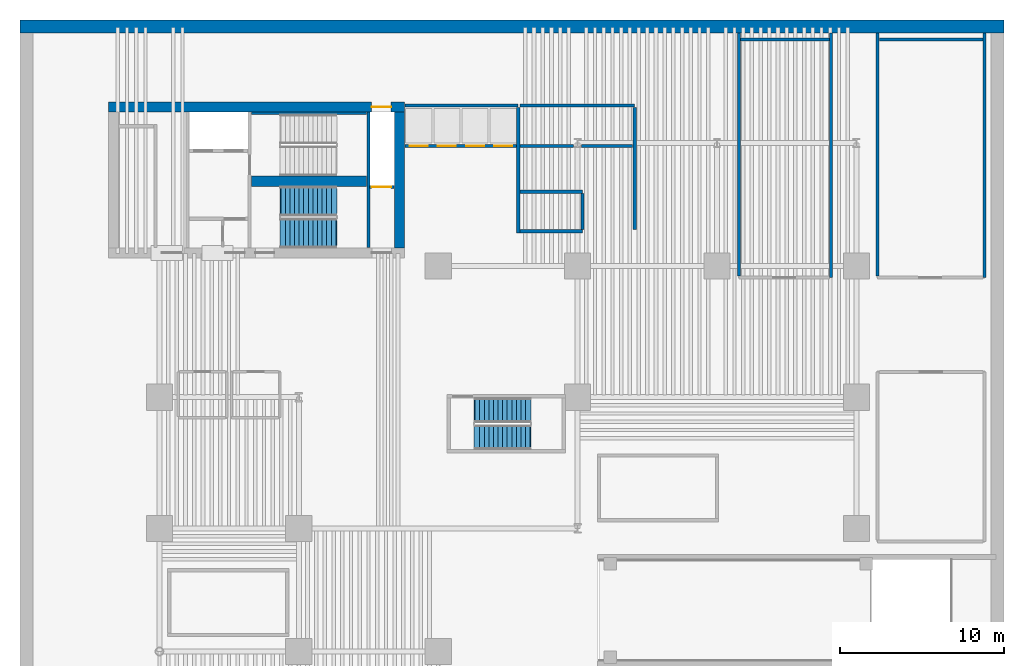
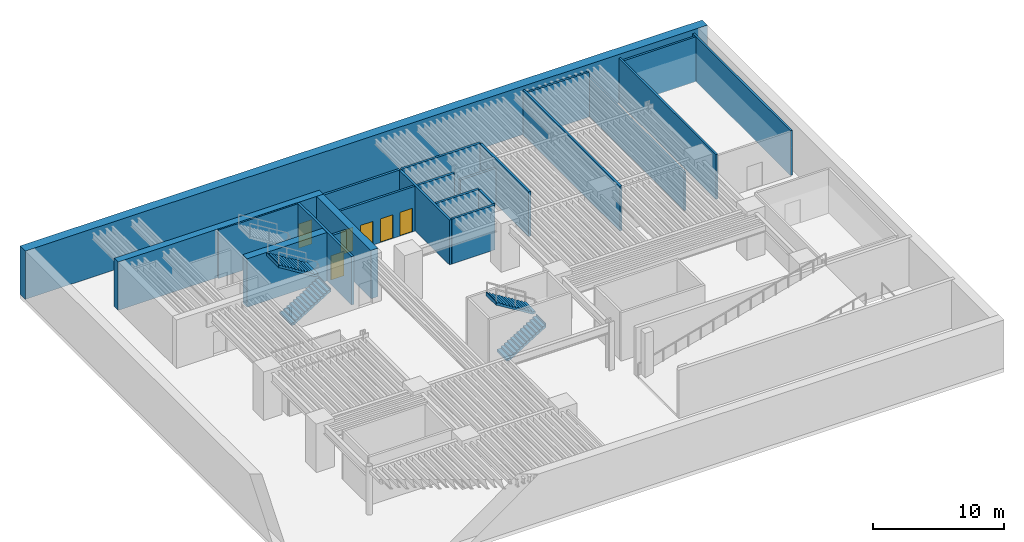
# One storey, part 4 of 10: 23 walls, 6 doors, 4 stair flights, 6 openings, 2 elements without a shape of their own.
"""IFC4 building model written with IfcOpenShell, lengths in metres."""

from ifc_helpers import new_model, si_unit, direction, frame, frame_2d, origin, place, context, subcontext, project, spatial, polyline, rectangle, outline, extrude, material, layer, layer_set, type_object, element, fill, aggregate, save


model = new_model("IFC4")

# Units and contexts
model_context = context("Model", 3, precision=1e-05, world=origin(), true_north=direction((0.0, 1.0)))
body_context = subcontext(model_context, "Body", "Model", "MODEL_VIEW")
ifc_project = project(units=[si_unit("LENGTHUNIT", "METRE"), si_unit("AREAUNIT", "SQUARE_METRE"), si_unit("VOLUMEUNIT", "CUBIC_METRE"), si_unit("PLANEANGLEUNIT", "RADIAN"), si_unit("MASSUNIT", "GRAM", prefix="KILO")], contexts=[model_context])

# Site, building, storey
site_placement = place(None, origin())
site = spatial("IfcSite", under=ifc_project, at=site_placement, CompositionType="ELEMENT")
building_placement = place(site_placement, origin())
building = spatial("IfcBuilding", under=site, at=building_placement, Name="Caeloran Harvest Quay", CompositionType="ELEMENT")
storey_placement = place(building_placement, frame((0.0, 0.0, -4.5)))
storey = spatial("IfcBuildingStorey", under=building, at=storey_placement, Name="B01", CompositionType="ELEMENT", Elevation=-4.5)

# Walls
ifc_material_1 = material(Name="Autoclaved Aerated Concrete Blockwork", Category="masonry")
ifc_layer_1 = layer(ifc_material_1, 0.179931640625, Name="Autoclaved Aerated Concrete Blockwork")
ifc_layer_set_1 = layer_set([ifc_layer_1], Name="Autoclaved Aerated Concrete Blockwork")
wall_type_1 = type_object("IfcWallType", Name="INT-WALL-PW-180", PredefinedType="PARTITIONING", material=ifc_layer_set_1)
wall_1_placement = place(storey_placement, frame((58.800048828125, 45.195068359375, 0.0), z_axis=(0.0, 0.0, 1.0), x_axis=(0.0, -1.0, 0.0)))
element("IfcWall", 1, at=wall_1_placement, inside=storey, type_object=wall_type_1, Name="EV Fast-Charging Switchgear Room Partition Wall", PredefinedType="PARTITIONING", context=body_context, shape_type="SweptSolid", body=[
    extrude(rectangle(XDim=14.89501953125, YDim=0.179931640625, at=frame_2d((7.447509765625, 0.0))), origin(), (0.0, 0.0, 1.0), 4.1650390625),
])
wall_2_placement = place(storey_placement, frame((52.300048828125, 30.39501953125, 0.0), z_axis=(0.0, 0.0, 1.0), x_axis=(0.0, 1.0, 0.0)))
element("IfcWall", 2, at=wall_2_placement, inside=storey, type_object=wall_type_1, Name="EV Fast-Charging Switchgear Room Partition Wall", PredefinedType="PARTITIONING", context=body_context, shape_type="SweptSolid", body=[
    extrude(rectangle(XDim=14.800048828125, YDim=0.179931640625, at=frame_2d((7.39990234375, 0.0))), origin(), (0.0, 0.0, 1.0), 4.1650390625),
])
wall_3_placement = place(storey_placement, frame((52.39501953125, 44.800048828125, 0.0), z_axis=(0.0, 0.0, 1.0), x_axis=(1.0, 0.0, 0.0)))
element("IfcWall", 3, at=wall_3_placement, inside=storey, type_object=wall_type_1, Name="EV Fast-Charging Switchgear Room Partition Wall", PredefinedType="PARTITIONING", context=body_context, shape_type="SweptSolid", body=[
    extrude(rectangle(XDim=6.31005859375, YDim=0.179931640625, at=frame_2d((3.155029296875, 0.0))), origin(), (0.0, 0.0, 1.0), 4.1650390625),
])
wall_4_placement = place(storey_placement, frame((49.449951171875, 45.195068359375, 0.0), z_axis=(0.0, 0.0, 1.0), x_axis=(0.0, -1.0, 0.0)))
element("IfcWall", 4, at=wall_4_placement, inside=storey, type_object=wall_type_1, Name="Bicycle Parking and Shower Changing Room Partition Wall", PredefinedType="PARTITIONING", context=body_context, shape_type="SweptSolid", body=[
    extrude(rectangle(XDim=14.89501953125, YDim=0.179931640625, at=frame_2d((7.447509765625, 0.0))), origin(), (0.0, 0.0, 1.0), 3.550048828125),
])
wall_5_placement = place(storey_placement, frame((43.85009765625, 30.39501953125, 0.0), z_axis=(0.0, 0.0, 1.0), x_axis=(0.0, 1.0, 0.0)))
element("IfcWall", 5, at=wall_5_placement, inside=storey, type_object=wall_type_1, Name="Bicycle Parking and Shower Changing Room Partition Wall", PredefinedType="PARTITIONING", context=body_context, shape_type="SweptSolid", body=[
    extrude(rectangle(XDim=14.800048828125, YDim=0.179931640625, at=frame_2d((7.39990234375, 0.0))), origin(), (0.0, 0.0, 1.0), 4.1650390625),
])
wall_6_placement = place(storey_placement, frame((43.945068359375, 44.800048828125, 0.0), z_axis=(0.0, 0.0, 1.0), x_axis=(1.0, 0.0, 0.0)))
element("IfcWall", 6, at=wall_6_placement, inside=storey, type_object=wall_type_1, Name="Bicycle Parking and Shower Changing Room Partition Wall", PredefinedType="PARTITIONING", context=body_context, shape_type="SweptSolid", body=[
    extrude(rectangle(XDim=5.409912109375, YDim=0.179931640625, at=frame_2d((2.705078125, 0.0))), origin(), (0.0, 0.0, 1.0), 4.1650390625),
])

# Wall, opening, door
ifc_material_2 = material(Name="Concrete C50/60", Category="concrete")
ifc_layer_2 = layer(ifc_material_2, 0.199951171875, Name="Concrete C50/60")
ifc_layer_set_2 = layer_set([ifc_layer_2], Name="Concrete C50/60")
wall_type_2 = type_object("IfcWallType", Name="INT-WALL-SW-200", PredefinedType="PARTITIONING", material=ifc_layer_set_2)
wall_7_placement = place(storey_placement, frame((21.300048828125, 35.820068359375, 0.0), z_axis=(0.0, 0.0, 1.0), x_axis=(1.0, 0.0, 0.0)))
wall_7 = element("IfcWall", 7, at=wall_7_placement, inside=storey, type_object=wall_type_2, Name="B01 Service Lift SV-2 Shaft Wall", PredefinedType="PARTITIONING", context=body_context, shape_type="SweptSolid", body=[
    extrude(rectangle(XDim=1.5, YDim=0.199951171875, at=frame_2d((0.75, 0.0))), origin(), (0.0, 0.0, 1.0), 4.1650390625),
])
opening_1_placement = place(wall_7_placement, frame((0.14501953125, 0.0, 0.0)))
opening_1 = element("IfcOpeningElement", 8, at=opening_1_placement, cuts=wall_7, Name="Opening LD-02", PredefinedType="OPENING", context=body_context, shape_type="SweptSolid", body=[
    extrude(rectangle(XDim=1.179931640625, YDim=2.25, at=frame_2d((0.58984375, 1.125))), frame((0.0, 0.10986328125, 0.0), z_axis=(0.0, -1.0, 0.0), x_axis=(1.0, 0.0, 0.0)), (0.0, 0.0, 1.0), 0.219970703125),
])
ifc_material_3 = material(Name="Stainless Steel Grade 316", Category="steel")
door_type_1 = type_object("IfcDoorType", Name="INTDOOR-LD-02", OperationType="NOTDEFINED", PredefinedType="DOOR", material=ifc_material_3)
door_1_placement = place(opening_1_placement, origin())
door_1 = element("IfcDoor", 9, at=door_1_placement, inside=storey, type_object=door_type_1, Name="Lift SV-2 Sliding Landing Door (B01)", OperationType="DOUBLE_DOOR_SLIDING", OverallHeight=2.25, OverallWidth=1.179931640625, PredefinedType="DOOR", context=body_context, shape_type="SweptSolid", body=[
    extrude(rectangle(XDim=1.179931640625, YDim=2.25, at=frame_2d((0.58984375, 1.125))), frame((0.0, 0.02490234375, 0.0), z_axis=(0.0, -1.0, 0.0), x_axis=(1.0, 0.0, 0.0)), (0.0, 0.0, 1.0), 0.050048828125),
])
fill(opening_1, door_1)

# Walls
wall_8_placement = place(storey_placement, frame((23.469970703125, 40.780029296875, 0.0), z_axis=(0.0, 0.0, 1.0), x_axis=(1.0, 0.0, 0.0)))
element("IfcWall", 10, at=wall_8_placement, inside=storey, type_object=wall_type_2, Name="B01 Bank 1 Lift Shaft North Wall", PredefinedType="PARTITIONING", context=body_context, shape_type="SweptSolid", body=[
    extrude(rectangle(XDim=6.909912109375, YDim=0.199951171875, at=frame_2d((3.455078125, 0.0))), origin(), (0.0, 0.0, 1.0), 4.1650390625),
])
wall_9_placement = place(storey_placement, frame((30.3798828125, 33.02001953125, 0.0), z_axis=(0.0, 0.0, 1.0), x_axis=(0.0, 1.0, 0.0)))
element("IfcWall", 11, at=wall_9_placement, inside=storey, type_object=wall_type_2, Name="B01 Bank 1 Lift Shaft East Wall", PredefinedType="PARTITIONING", context=body_context, shape_type="SweptSolid", body=[
    extrude(rectangle(XDim=7.639892578125, YDim=0.199951171875, at=frame_2d((3.81982421875, 0.0))), origin(), (0.0, 0.0, 1.0), 4.1650390625),
])

# Wall, openings, doors
wall_10_placement = place(storey_placement, frame((23.469970703125, 38.320068359375, 0.0), z_axis=(0.0, 0.0, 1.0), x_axis=(1.0, 0.0, 0.0)))
wall_10 = element("IfcWall", 12, at=wall_10_placement, inside=storey, type_object=wall_type_2, Name="B01 Bank 1 Lift Landing Front Wall", PredefinedType="PARTITIONING", context=body_context, shape_type="SweptSolid", body=[
    extrude(rectangle(XDim=6.7900390625, YDim=0.199951171875, at=frame_2d((3.39501953125, 0.0))), origin(), (0.0, 0.0, 1.0), 4.1650390625),
])
opening_2_placement = place(wall_10_placement, frame((0.2900390625, 0.0, 0.0)))
opening_2 = element("IfcOpeningElement", 13, at=opening_2_placement, cuts=wall_10, Name="Opening LD-01", PredefinedType="OPENING", context=body_context, shape_type="SweptSolid", body=[
    extrude(rectangle(XDim=1.10009765625, YDim=2.199951171875, at=frame_2d((0.550048828125, 1.10009765625))), frame((0.0, 0.10986328125, 0.0), z_axis=(0.0, -1.0, 0.0), x_axis=(1.0, 0.0, 0.0)), (0.0, 0.0, 1.0), 0.219970703125),
])
opening_3_placement = place(wall_10_placement, frame((2.010009765625, 0.0, 0.0)))
opening_3 = element("IfcOpeningElement", 14, at=opening_3_placement, cuts=wall_10, Name="Opening LD-01", PredefinedType="OPENING", context=body_context, shape_type="SweptSolid", body=[
    extrude(rectangle(XDim=1.10009765625, YDim=2.199951171875, at=frame_2d((0.550048828125, 1.10009765625))), frame((0.0, 0.10986328125, 0.0), z_axis=(0.0, -1.0, 0.0), x_axis=(1.0, 0.0, 0.0)), (0.0, 0.0, 1.0), 0.219970703125),
])
opening_4_placement = place(wall_10_placement, frame((3.72998046875, 0.0, 0.0)))
opening_4 = element("IfcOpeningElement", 15, at=opening_4_placement, cuts=wall_10, Name="Opening LD-01", PredefinedType="OPENING", context=body_context, shape_type="SweptSolid", body=[
    extrude(rectangle(XDim=1.10009765625, YDim=2.199951171875, at=frame_2d((0.550048828125, 1.10009765625))), frame((0.0, 0.10986328125, 0.0), z_axis=(0.0, -1.0, 0.0), x_axis=(1.0, 0.0, 0.0)), (0.0, 0.0, 1.0), 0.219970703125),
])
opening_5_placement = place(wall_10_placement, frame((5.449951171875, 0.0, 0.0)))
opening_5 = element("IfcOpeningElement", 16, at=opening_5_placement, cuts=wall_10, Name="Opening LD-01", PredefinedType="OPENING", context=body_context, shape_type="SweptSolid", body=[
    extrude(rectangle(XDim=1.10009765625, YDim=2.199951171875, at=frame_2d((0.550048828125, 1.10009765625))), frame((0.0, 0.10986328125, 0.0), z_axis=(0.0, -1.0, 0.0), x_axis=(1.0, 0.0, 0.0)), (0.0, 0.0, 1.0), 0.219970703125),
])
door_type_2 = type_object("IfcDoorType", Name="INTDOOR-LD-01", OperationType="NOTDEFINED", PredefinedType="DOOR", material=ifc_material_3)
door_2_placement = place(opening_2_placement, origin())
door_2 = element("IfcDoor", 17, at=door_2_placement, inside=storey, type_object=door_type_2, Name="Lift P1-1 Sliding Landing Door (B01)", OperationType="DOUBLE_DOOR_SLIDING", OverallHeight=2.199951171875, OverallWidth=1.10009765625, PredefinedType="DOOR", context=body_context, shape_type="SweptSolid", body=[
    extrude(rectangle(XDim=1.10009765625, YDim=2.199951171875, at=frame_2d((0.550048828125, 1.10009765625))), frame((0.0, 0.02490234375, 0.0), z_axis=(0.0, -1.0, 0.0), x_axis=(1.0, 0.0, 0.0)), (0.0, 0.0, 1.0), 0.050048828125),
])
fill(opening_2, door_2)
door_3_placement = place(opening_3_placement, origin())
door_3 = element("IfcDoor", 18, at=door_3_placement, inside=storey, type_object=door_type_2, Name="Lift P1-2 Sliding Landing Door (B01)", OperationType="DOUBLE_DOOR_SLIDING", OverallHeight=2.199951171875, OverallWidth=1.10009765625, PredefinedType="DOOR", context=body_context, shape_type="SweptSolid", body=[
    extrude(rectangle(XDim=1.10009765625, YDim=2.199951171875, at=frame_2d((0.550048828125, 1.10009765625))), frame((0.0, 0.02490234375, 0.0), z_axis=(0.0, -1.0, 0.0), x_axis=(1.0, 0.0, 0.0)), (0.0, 0.0, 1.0), 0.050048828125),
])
fill(opening_3, door_3)
door_4_placement = place(opening_4_placement, origin())
door_4 = element("IfcDoor", 19, at=door_4_placement, inside=storey, type_object=door_type_2, Name="Lift P1-3 Sliding Landing Door (B01)", OperationType="DOUBLE_DOOR_SLIDING", OverallHeight=2.199951171875, OverallWidth=1.10009765625, PredefinedType="DOOR", context=body_context, shape_type="SweptSolid", body=[
    extrude(rectangle(XDim=1.10009765625, YDim=2.199951171875, at=frame_2d((0.550048828125, 1.10009765625))), frame((0.0, 0.02490234375, 0.0), z_axis=(0.0, -1.0, 0.0), x_axis=(1.0, 0.0, 0.0)), (0.0, 0.0, 1.0), 0.050048828125),
])
fill(opening_4, door_4)
door_5_placement = place(opening_5_placement, origin())
door_5 = element("IfcDoor", 20, at=door_5_placement, inside=storey, type_object=door_type_2, Name="Lift P1-4 Sliding Landing Door (B01)", OperationType="DOUBLE_DOOR_SLIDING", OverallHeight=2.199951171875, OverallWidth=1.10009765625, PredefinedType="DOOR", context=body_context, shape_type="SweptSolid", body=[
    extrude(rectangle(XDim=1.10009765625, YDim=2.199951171875, at=frame_2d((0.550048828125, 1.10009765625))), frame((0.0, 0.02490234375, 0.0), z_axis=(0.0, -1.0, 0.0), x_axis=(1.0, 0.0, 0.0)), (0.0, 0.0, 1.0), 0.050048828125),
])
fill(opening_5, door_5)

# Walls
wall_11_placement = place(storey_placement, frame((30.5, 40.780029296875, 0.0), z_axis=(0.0, 0.0, 1.0), x_axis=(1.0, 0.0, 0.0)))
element("IfcWall", 21, at=wall_11_placement, inside=storey, type_object=wall_type_2, Name="B01 Bank 2 Lift Shaft North Wall", PredefinedType="PARTITIONING", context=body_context, shape_type="SweptSolid", body=[
    extrude(rectangle(XDim=6.97998046875, YDim=0.199951171875, at=frame_2d((3.489990234375, 0.0))), origin(), (0.0, 0.0, 1.0), 4.1650390625),
])
wall_12_placement = place(storey_placement, frame((37.47998046875, 33.239990234375, 0.0), z_axis=(0.0, 0.0, 1.0), x_axis=(0.0, 1.0, 0.0)))
element("IfcWall", 22, at=wall_12_placement, inside=storey, type_object=wall_type_2, Name="B01 Bank 2 Lift Shaft East Wall", PredefinedType="PARTITIONING", context=body_context, shape_type="SweptSolid", body=[
    extrude(rectangle(XDim=7.419921875, YDim=0.199951171875, at=frame_2d((3.7099609375, 0.0))), origin(), (0.0, 0.0, 1.0), 4.1650390625),
])
wall_13_placement = place(storey_placement, frame((34.251953125, 38.320068359375, 0.0), z_axis=(0.0, 0.0, 1.0), x_axis=(1.0, 0.0, 0.0)))
element("IfcWall", 23, at=wall_13_placement, inside=storey, type_object=wall_type_2, Name="B01 Bank 2 Lift Landing Front Wall", PredefinedType="PARTITIONING", context=body_context, shape_type="SweptSolid", body=[
    extrude(rectangle(XDim=3.108154296875, YDim=0.199951171875, at=frame_2d((1.55419921875, 0.0))), origin(), (0.0, 0.0, 1.0), 3.35009765625),
])
wall_14_placement = place(storey_placement, frame((30.5, 38.320068359375, 0.0), z_axis=(0.0, 0.0, 1.0), x_axis=(1.0, 0.0, 0.0)))
element("IfcWall", 24, at=wall_14_placement, inside=storey, type_object=wall_type_2, Name="B01 Bank 2 Lift Landing Front Wall", PredefinedType="PARTITIONING", context=body_context, shape_type="SweptSolid", body=[
    extrude(rectangle(XDim=3.248046875, YDim=0.199951171875, at=frame_2d((1.6240234375, 0.0))), origin(), (0.0, 0.0, 1.0), 4.1650390625),
])
for number, where, z_axis, x_axis, name in (
    (25, (30.5, 35.530029296875, 0.0), (0.0, 0.0, 1.0), (1.0, 0.0, 0.0), "B01 Shuttle Lift Landing Front Wall"),
    (26, (30.5, 33.1201171875, 0.0), (0.0, 0.0, 1.0), (1.0, 0.0, 0.0), "B01 Shuttle Lift Shaft South Wall"),
):
    element("IfcWall", number, at=place(storey_placement, frame(where, z_axis=z_axis, x_axis=x_axis)), inside=storey, type_object=wall_type_2, Name=name, PredefinedType="PARTITIONING", context=body_context, shape_type="SweptSolid", body=[
        extrude(rectangle(XDim=3.800048828125, YDim=0.199951171875, at=frame_2d((1.89990234375, 0.0))), origin(), (0.0, 0.0, 1.0), 4.1650390625),
    ])
wall_15_placement = place(storey_placement, frame((34.300048828125, 33.239990234375, 0.0), z_axis=(0.0, 0.0, 1.0), x_axis=(0.0, 1.0, 0.0)))
element("IfcWall", 27, at=wall_15_placement, inside=storey, type_object=wall_type_2, Name="B01 Shuttle Lift Shaft East Wall", PredefinedType="PARTITIONING", context=body_context, shape_type="SweptSolid", body=[
    extrude(rectangle(XDim=2.169921875, YDim=0.199951171875, at=frame_2d((1.0849609375, 0.0))), origin(), (0.0, 0.0, 1.0), 4.1650390625),
])

# Wall, opening, door
ifc_material_4 = material(Name="Concrete C80/95", Category="concrete")
ifc_layer_3 = layer(ifc_material_4, 0.60009765625, Name="Concrete C80/95")
ifc_layer_set_3 = layer_set([ifc_layer_3], Name="Concrete C80/95")
wall_type_3 = type_object("IfcWallType", Name="STR-WALL-CW-600", PredefinedType="SHEAR", material=ifc_layer_set_3)
wall_16_placement = place(storey_placement, frame((5.39990234375, 40.699951171875, 0.0), z_axis=(0.0, 0.0, 1.0), x_axis=(1.0, 0.0, 0.0)))
wall_16 = element("IfcWall", 28, at=wall_16_placement, inside=storey, type_object=wall_type_3, Name="B01 Rear Core Shear Wall N", PredefinedType="SHEAR", context=body_context, shape_type="SweptSolid", body=[
    extrude(rectangle(XDim=18.050048828125, YDim=0.60009765625, at=frame_2d((9.02490234375, 0.0))), origin(), (0.0, 0.0, 1.0), 4.5),
])
opening_6_placement = place(wall_16_placement, frame((16.044921875, 0.0, 0.0)))
opening_6 = element("IfcOpeningElement", 29, at=opening_6_placement, cuts=wall_16, Name="Opening LD-02", PredefinedType="OPENING", context=body_context, shape_type="SweptSolid", body=[
    extrude(rectangle(XDim=1.179931640625, YDim=2.25, at=frame_2d((0.58984375, 1.125))), frame((0.0, 0.31005859375, 0.0), z_axis=(0.0, -1.0, 0.0), x_axis=(1.0, 0.0, 0.0)), (0.0, 0.0, 1.0), 0.6201171875),
])
door_6_placement = place(opening_6_placement, origin())
door_6 = element("IfcDoor", 30, at=door_6_placement, inside=storey, type_object=door_type_1, Name="Lift SV-1 Sliding Landing Door (B01)", OperationType="DOUBLE_DOOR_SLIDING", OverallHeight=2.25, OverallWidth=1.179931640625, PredefinedType="DOOR", context=body_context, shape_type="SweptSolid", body=[
    extrude(rectangle(XDim=1.179931640625, YDim=2.25, at=frame_2d((0.58984375, 1.125))), frame((0.0, 0.02490234375, 0.0), z_axis=(0.0, -1.0, 0.0), x_axis=(1.0, 0.0, 0.0)), (0.0, 0.0, 1.0), 0.050048828125),
])
fill(opening_6, door_6)

# Walls
wall_17_placement = place(storey_placement, frame((23.14990234375, 32.10009765625, 0.0), z_axis=(0.0, 0.0, 1.0), x_axis=(0.0, 1.0, 0.0)))
element("IfcWall", 31, at=wall_17_placement, inside=storey, type_object=wall_type_3, Name="B01 Rear Core Shear Wall E", PredefinedType="SHEAR", context=body_context, shape_type="SweptSolid", body=[
    extrude(rectangle(XDim=8.2998046875, YDim=0.60009765625, at=frame_2d((4.14990234375, 0.0))), origin(), (0.0, 0.0, 1.0), 4.5),
])
ifc_material_5 = material(Name="Concrete C60/75", Category="concrete")
ifc_layer_4 = layer(ifc_material_5, 0.64990234375, Name="Concrete C60/75")
ifc_layer_set_4 = layer_set([ifc_layer_4], Name="Concrete C60/75")
wall_type_4 = type_object("IfcWallType", Name="STR-WALL-CW-650", PredefinedType="SHEAR", material=ifc_layer_set_4)
wall_18_placement = place(storey_placement, frame((14.1201171875, 36.175048828125, 0.0), z_axis=(0.0, 0.0, 1.0), x_axis=(1.0, 0.0, 0.0)))
element("IfcWall", 32, at=wall_18_placement, inside=storey, type_object=wall_type_4, Name="B01 Core Stairs Dividing Shear Wall", PredefinedType="SHEAR", context=body_context, shape_type="SweptSolid", body=[
    extrude(rectangle(XDim=7.009765625, YDim=0.64990234375, at=frame_2d((3.5048828125, 0.0))), origin(), (0.0, 0.0, 1.0), 4.5),
])
ifc_layer_5 = layer(ifc_material_5, 0.800048828125, Name="Concrete C60/75")
ifc_layer_set_5 = layer_set([ifc_layer_5], Name="Concrete C60/75")
wall_type_5 = type_object("IfcWallType", Name="STR-WALL-DW-800", PredefinedType="USERDEFINED", material=ifc_layer_set_5)
wall_19_placement = place(storey_placement, frame((0.0, 45.60009765625, 0.0), z_axis=(0.0, 0.0, 1.0), x_axis=(1.0, 0.0, 0.0)))
element("IfcWall", 33, at=wall_19_placement, inside=storey, type_object=wall_type_5, Name="B01 Basement Diaphragm Retaining Wall N 800 mm", ObjectType="RETAININGWALL", PredefinedType="USERDEFINED", context=body_context, shape_type="SweptSolid", body=[
    extrude(rectangle(XDim=60.0, YDim=0.800048828125, at=frame_2d((30.0, 0.0))), origin(), (0.0, 0.0, 1.0), 4.5),
])
ifc_layer_6 = layer(ifc_material_5, 0.139892578125, Name="Concrete C60/75")
ifc_layer_set_6 = layer_set([ifc_layer_6], Name="Concrete C60/75")
wall_type_6 = type_object("IfcWallType", Name="STR-WALL-SW-140", PredefinedType="SHEAR", material=ifc_layer_set_6)
wall_20_placement = place(storey_placement, frame((14.1201171875, 40.320068359375, 0.0), z_axis=(0.0, 0.0, 1.0), x_axis=(1.0, 0.0, 0.0)))
element("IfcWall", 34, at=wall_20_placement, inside=storey, type_object=wall_type_6, Name="B01 Core Stair ST-C1 North Bearing Shear Wall", PredefinedType="SHEAR", context=body_context, shape_type="SweptSolid", body=[
    extrude(rectangle(XDim=7.009765625, YDim=0.139892578125, at=frame_2d((3.5048828125, 0.0))), origin(), (0.0, 0.0, 1.0), 4.5),
])
ifc_layer_7 = layer(ifc_material_5, 0.199951171875, Name="Concrete C60/75")
ifc_layer_set_7 = layer_set([ifc_layer_7], Name="Concrete C60/75")
wall_type_7 = type_object("IfcWallType", Name="STR-WALL-SW-200", PredefinedType="SHEAR", material=ifc_layer_set_7)
wall_21_placement = place(storey_placement, frame((21.25, 32.1201171875, 0.0), z_axis=(0.0, 0.0, 1.0), x_axis=(0.0, 1.0, 0.0)))
element("IfcWall", 35, at=wall_21_placement, inside=storey, type_object=wall_type_7, Name="B01 Core Stair Shaft East Shear Wall", PredefinedType="SHEAR", context=body_context, shape_type="SweptSolid", body=[
    extrude(rectangle(XDim=8.259765625, YDim=0.199951171875, at=frame_2d((4.1298828125, 0.0))), origin(), (0.0, 0.0, 1.0), 4.5),
])

# Stair, stair flights
stair_type_1 = type_object("IfcStairType", Name="STAIR-STC-180", PredefinedType="HALF_TURN_STAIR", material=ifc_material_2)
stair_1_placement = place(storey_placement, origin())
stair_1 = element("IfcStair", 36, at=stair_1_placement, inside=storey, type_object=stair_type_1, Name="B01 Core Pressurized Exit Stair ST-C2", PredefinedType="HALF_TURN_STAIR")
stair_flight_type_1 = type_object("IfcStairFlightType", Name="FLIGHT-STC-180", PredefinedType="STRAIGHT", material=ifc_material_2)
stair_flight_1_placement = place(storey_placement, frame((15.89990234375, 33.0, 0.0), z_axis=(0.0, 0.0, 1.0), x_axis=(1.0, 0.0, 0.0)))
stair_flight_1 = element("IfcStairFlight", 37, at=stair_flight_1_placement, type_object=stair_flight_type_1, Name="ST-C2 flight 1", NumberOfRisers=13, NumberOfTreads=12, PredefinedType="STRAIGHT", RiserHeight=0.173076923, TreadLength=0.28, context=body_context, shape_type="SweptSolid", body=[
    extrude(outline(polyline([(-0.054931640625, -0.044921875), (-0.054931640625, -0.03125), (-0.054931640625, -0.017822265625), (-0.054931640625, -0.004150390625), (-0.054931640625, 0.009521484375), (-0.054931640625, 0.023193359375), (-0.054931640625, 0.036865234375), (-0.054931640625, 0.05029296875), (-0.054931640625, 0.06396484375), (-0.054931640625, 0.07763671875), (-0.054931640625, 0.09130859375), (-0.054931640625, 0.10498046875), (-0.054931640625, 0.11865234375), (-0.054931640625, 0.132080078125), (-0.054931640625, 0.145751953125), (-0.054931640625, 0.159423828125), (-0.054931640625, 0.173095703125), (0.280029296875, 0.173095703125), (0.280029296875, 0.34619140625), (0.56005859375, 0.34619140625), (0.56005859375, 0.519287109375), (0.840087890625, 0.519287109375), (0.840087890625, 0.6923828125), (1.1201171875, 0.6923828125), (1.1201171875, 0.865478515625), (1.39990234375, 0.865478515625), (1.39990234375, 1.03857421875), (1.679931640625, 1.03857421875), (1.679931640625, 1.21142578125), (1.9599609375, 1.21142578125), (1.9599609375, 1.384521484375), (2.239990234375, 1.384521484375), (2.239990234375, 1.5576171875), (2.52001953125, 1.5576171875), (2.52001953125, 1.730712890625), (2.800048828125, 1.730712890625), (2.800048828125, 1.90380859375), (3.080078125, 1.90380859375), (3.080078125, 2.076904296875), (3.360107421875, 2.076904296875), (3.360107421875, 2.25), (3.4150390625, 2.25), (3.4150390625, 2.228271484375), (3.4150390625, 2.206298828125), (3.4150390625, 2.1845703125), (3.4150390625, 2.16259765625), (3.4150390625, 2.140869140625), (3.4150390625, 2.118896484375), (3.4150390625, 2.09716796875), (3.4150390625, 2.075439453125), (3.4150390625, 2.053466796875), (3.4150390625, 2.03173828125), (3.4150390625, 2.009765625), (3.4150390625, 1.988037109375), (3.4150390625, 1.96630859375), (3.4150390625, 1.9443359375), (3.4150390625, 1.922607421875), (3.4150390625, 1.900634765625), (3.360107421875, 1.900634765625), (0.21240234375, -0.044921875), (-0.054931640625, -0.044921875)])), frame((0.0, 0.89990234375, 0.0), z_axis=(0.0, -1.0, 0.0), x_axis=(1.0, 0.0, 0.0)), (0.0, 0.0, 1.0), 1.800048828125),
])
stair_flight_2_placement = place(storey_placement, frame((19.260009765625, 34.949951171875, 2.25), z_axis=(0.0, 0.0, 1.0), x_axis=(-1.0, 0.0, 0.0)))
stair_flight_2 = element("IfcStairFlight", 38, at=stair_flight_2_placement, type_object=stair_flight_type_1, Name="ST-C2 flight 2", NumberOfRisers=13, NumberOfTreads=12, PredefinedType="STRAIGHT", RiserHeight=0.173076923, TreadLength=0.28, context=body_context, shape_type="SweptSolid", body=[
    extrude(outline(polyline([(-0.054931640625, -0.044921875), (-0.054931640625, -0.03125), (-0.054931640625, -0.017822265625), (-0.054931640625, -0.004150390625), (-0.054931640625, 0.009521484375), (-0.054931640625, 0.023193359375), (-0.054931640625, 0.036865234375), (-0.054931640625, 0.05029296875), (-0.054931640625, 0.06396484375), (-0.054931640625, 0.07763671875), (-0.054931640625, 0.09130859375), (-0.054931640625, 0.10498046875), (-0.054931640625, 0.11865234375), (-0.054931640625, 0.132080078125), (-0.054931640625, 0.145751953125), (-0.054931640625, 0.159423828125), (-0.054931640625, 0.173095703125), (0.280029296875, 0.173095703125), (0.280029296875, 0.34619140625), (0.56005859375, 0.34619140625), (0.56005859375, 0.519287109375), (0.840087890625, 0.519287109375), (0.840087890625, 0.6923828125), (1.1201171875, 0.6923828125), (1.1201171875, 0.865478515625), (1.39990234375, 0.865478515625), (1.39990234375, 1.03857421875), (1.679931640625, 1.03857421875), (1.679931640625, 1.21142578125), (1.9599609375, 1.21142578125), (1.9599609375, 1.384521484375), (2.239990234375, 1.384521484375), (2.239990234375, 1.5576171875), (2.52001953125, 1.5576171875), (2.52001953125, 1.730712890625), (2.800048828125, 1.730712890625), (2.800048828125, 1.90380859375), (3.080078125, 1.90380859375), (3.080078125, 2.076904296875), (3.360107421875, 2.076904296875), (3.360107421875, 2.25), (3.4150390625, 2.25), (3.4150390625, 2.228271484375), (3.4150390625, 2.206298828125), (3.4150390625, 2.1845703125), (3.4150390625, 2.16259765625), (3.4150390625, 2.140869140625), (3.4150390625, 2.118896484375), (3.4150390625, 2.09716796875), (3.4150390625, 2.075439453125), (3.4150390625, 2.053466796875), (3.4150390625, 2.03173828125), (3.4150390625, 2.009765625), (3.4150390625, 1.988037109375), (3.4150390625, 1.96630859375), (3.4150390625, 1.9443359375), (3.4150390625, 1.922607421875), (3.4150390625, 1.900634765625), (3.360107421875, 1.900634765625), (0.21240234375, -0.044921875), (-0.054931640625, -0.044921875)])), frame((0.0, 0.89990234375, 0.0), z_axis=(0.0, -1.0, 0.0), x_axis=(1.0, 0.0, 0.0)), (0.0, 0.0, 1.0), 1.800048828125),
])
aggregate(stair_1, [stair_flight_1, stair_flight_2])

stair_type_2 = type_object("IfcStairType", Name="STAIR-STW-150", PredefinedType="HALF_TURN_STAIR", material=ifc_material_2)
stair_2_placement = place(storey_placement, origin())
stair_2 = element("IfcStair", 39, at=stair_2_placement, inside=storey, type_object=stair_type_2, Name="B01 East Wing Protected Exit Stair ST-W1", PredefinedType="HALF_TURN_STAIR")
stair_flight_type_2 = type_object("IfcStairFlightType", Name="FLIGHT-STW-150", PredefinedType="STRAIGHT", material=ifc_material_2)
stair_flight_3_placement = place(storey_placement, frame((27.75, 20.550048828125, 0.0), z_axis=(0.0, 0.0, 1.0), x_axis=(1.0, 0.0, 0.0)))
stair_flight_3 = element("IfcStairFlight", 40, at=stair_flight_3_placement, type_object=stair_flight_type_2, Name="ST-W1 flight 1", NumberOfRisers=13, NumberOfTreads=12, PredefinedType="STRAIGHT", RiserHeight=0.173076923, TreadLength=0.28, context=body_context, shape_type="SweptSolid", body=[
    extrude(outline(polyline([(-0.054931640625, -0.044921875), (-0.054931640625, -0.03125), (-0.054931640625, -0.017822265625), (-0.054931640625, -0.004150390625), (-0.054931640625, 0.009521484375), (-0.054931640625, 0.023193359375), (-0.054931640625, 0.036865234375), (-0.054931640625, 0.05029296875), (-0.054931640625, 0.06396484375), (-0.054931640625, 0.07763671875), (-0.054931640625, 0.09130859375), (-0.054931640625, 0.10498046875), (-0.054931640625, 0.11865234375), (-0.054931640625, 0.132080078125), (-0.054931640625, 0.145751953125), (-0.054931640625, 0.159423828125), (-0.054931640625, 0.173095703125), (0.280029296875, 0.173095703125), (0.280029296875, 0.34619140625), (0.56005859375, 0.34619140625), (0.56005859375, 0.519287109375), (0.840087890625, 0.519287109375), (0.840087890625, 0.6923828125), (1.1201171875, 0.6923828125), (1.1201171875, 0.865478515625), (1.39990234375, 0.865478515625), (1.39990234375, 1.03857421875), (1.679931640625, 1.03857421875), (1.679931640625, 1.21142578125), (1.9599609375, 1.21142578125), (1.9599609375, 1.384521484375), (2.239990234375, 1.384521484375), (2.239990234375, 1.5576171875), (2.52001953125, 1.5576171875), (2.52001953125, 1.730712890625), (2.800048828125, 1.730712890625), (2.800048828125, 1.90380859375), (3.080078125, 1.90380859375), (3.080078125, 2.076904296875), (3.360107421875, 2.076904296875), (3.360107421875, 2.25), (3.4150390625, 2.25), (3.4150390625, 2.228271484375), (3.4150390625, 2.206298828125), (3.4150390625, 2.1845703125), (3.4150390625, 2.16259765625), (3.4150390625, 2.140869140625), (3.4150390625, 2.118896484375), (3.4150390625, 2.09716796875), (3.4150390625, 2.075439453125), (3.4150390625, 2.053466796875), (3.4150390625, 2.03173828125), (3.4150390625, 2.009765625), (3.4150390625, 1.988037109375), (3.4150390625, 1.96630859375), (3.4150390625, 1.9443359375), (3.4150390625, 1.922607421875), (3.4150390625, 1.900634765625), (3.360107421875, 1.900634765625), (0.21240234375, -0.044921875), (-0.054931640625, -0.044921875)])), frame((0.0, 0.75, 0.0), z_axis=(0.0, -1.0, 0.0), x_axis=(1.0, 0.0, 0.0)), (0.0, 0.0, 1.0), 1.5),
])
stair_flight_4_placement = place(storey_placement, frame((31.110107421875, 22.199951171875, 2.25), z_axis=(0.0, 0.0, 1.0), x_axis=(-1.0, 0.0, 0.0)))
stair_flight_4 = element("IfcStairFlight", 41, at=stair_flight_4_placement, type_object=stair_flight_type_2, Name="ST-W1 flight 2", NumberOfRisers=13, NumberOfTreads=12, PredefinedType="STRAIGHT", RiserHeight=0.173076923, TreadLength=0.28, context=body_context, shape_type="SweptSolid", body=[
    extrude(outline(polyline([(-0.054931640625, -0.044921875), (-0.054931640625, -0.03125), (-0.054931640625, -0.017822265625), (-0.054931640625, -0.004150390625), (-0.054931640625, 0.009521484375), (-0.054931640625, 0.023193359375), (-0.054931640625, 0.036865234375), (-0.054931640625, 0.05029296875), (-0.054931640625, 0.06396484375), (-0.054931640625, 0.07763671875), (-0.054931640625, 0.09130859375), (-0.054931640625, 0.10498046875), (-0.054931640625, 0.11865234375), (-0.054931640625, 0.132080078125), (-0.054931640625, 0.145751953125), (-0.054931640625, 0.159423828125), (-0.054931640625, 0.173095703125), (0.280029296875, 0.173095703125), (0.280029296875, 0.34619140625), (0.56005859375, 0.34619140625), (0.56005859375, 0.519287109375), (0.840087890625, 0.519287109375), (0.840087890625, 0.6923828125), (1.1201171875, 0.6923828125), (1.1201171875, 0.865478515625), (1.39990234375, 0.865478515625), (1.39990234375, 1.03857421875), (1.679931640625, 1.03857421875), (1.679931640625, 1.21142578125), (1.9599609375, 1.21142578125), (1.9599609375, 1.384521484375), (2.239990234375, 1.384521484375), (2.239990234375, 1.5576171875), (2.52001953125, 1.5576171875), (2.52001953125, 1.730712890625), (2.800048828125, 1.730712890625), (2.800048828125, 1.90380859375), (3.080078125, 1.90380859375), (3.080078125, 2.076904296875), (3.360107421875, 2.076904296875), (3.360107421875, 2.25), (3.4150390625, 2.25), (3.4150390625, 2.228271484375), (3.4150390625, 2.206298828125), (3.4150390625, 2.1845703125), (3.4150390625, 2.16259765625), (3.4150390625, 2.140869140625), (3.4150390625, 2.118896484375), (3.4150390625, 2.09716796875), (3.4150390625, 2.075439453125), (3.4150390625, 2.053466796875), (3.4150390625, 2.03173828125), (3.4150390625, 2.009765625), (3.4150390625, 1.988037109375), (3.4150390625, 1.96630859375), (3.4150390625, 1.9443359375), (3.4150390625, 1.922607421875), (3.4150390625, 1.900634765625), (3.360107421875, 1.900634765625), (0.21240234375, -0.044921875), (-0.054931640625, -0.044921875)])), frame((0.0, 0.75, 0.0), z_axis=(0.0, -1.0, 0.0), x_axis=(1.0, 0.0, 0.0)), (0.0, 0.0, 1.0), 1.5),
])
aggregate(stair_2, [stair_flight_3, stair_flight_4])

save(model, "model.ifc")
